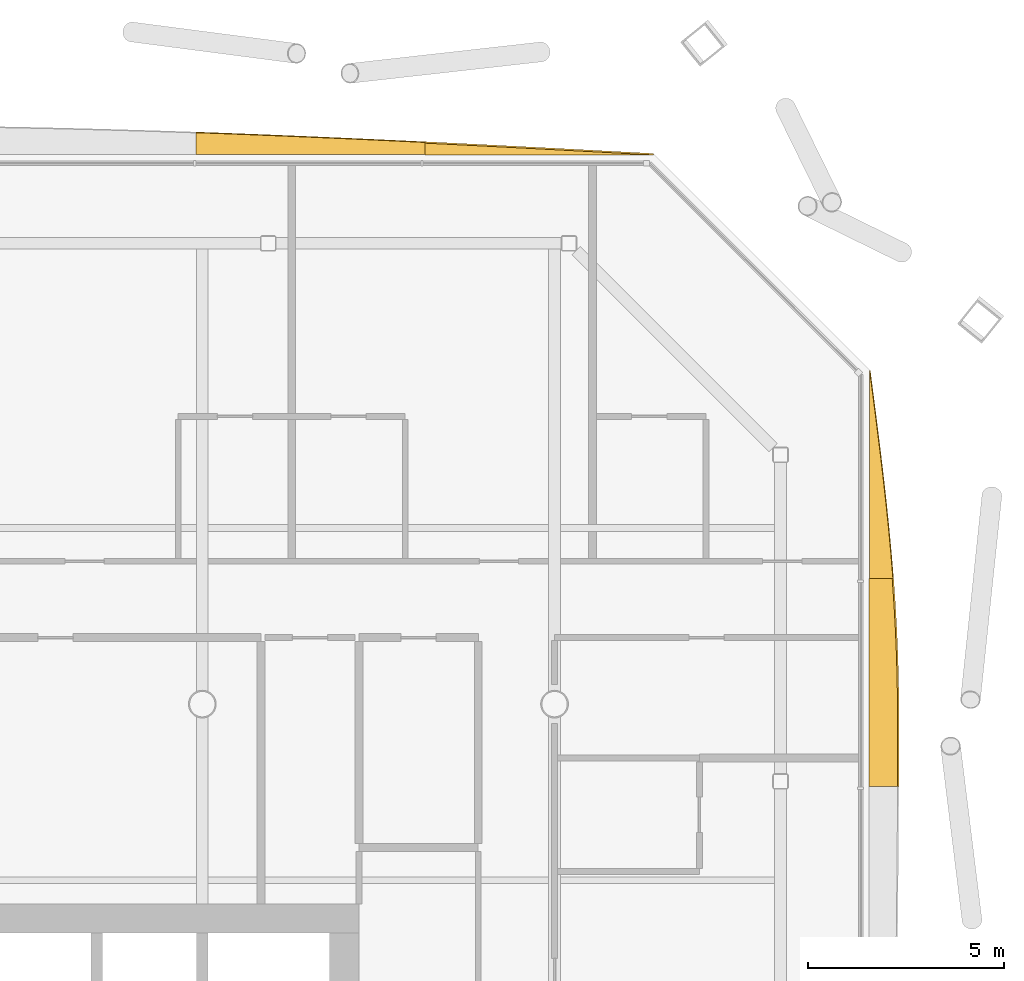
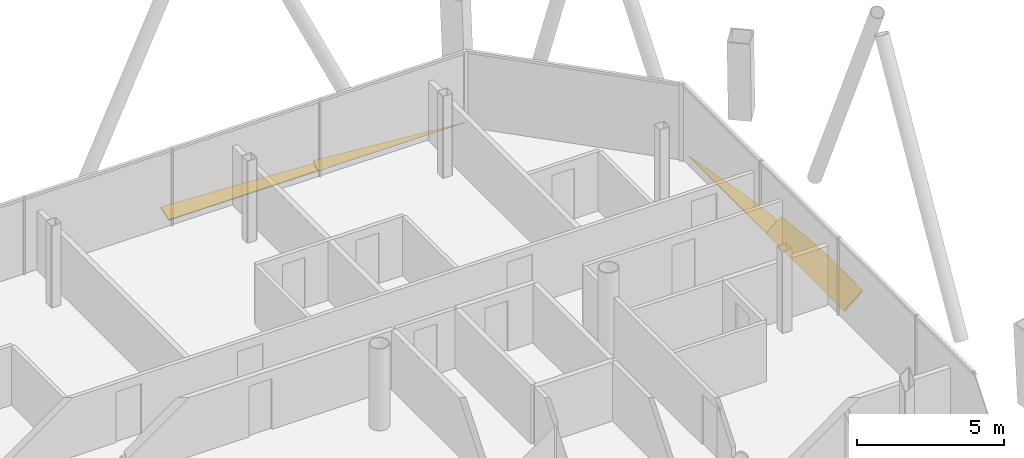
# One storey, part 23 of 23: 4 shading devices.
"""IFC4 building model written with IfcOpenShell, lengths in metres."""

import ifcopenshell
import ifcopenshell.guid

model = None  # the IFC model being written
_history = None  # IfcOwnerHistory: only IFC2X3 demands one
_inside = {}  # id of a spatial element -> (the spatial element, [elements in it])
_under = {}  # id of a project, library or spatial element -> (it, [spatial elements below it])
_declared = {}  # id of a project -> (the project, [libraries it declares])
_typed = {}  # id of a type object -> (the type object, [elements of that type])
_made_of = {}  # id of a material, layer set ... -> (it, [elements and type objects made of it])


def new_model(schema):
    """Start an empty IFC model of exactly this schema.

    Asked for "IFC4X3", IfcOpenShell would pick the latest addendum, in which some entities
    have other attributes; the version numbers below select the first issue.
    IFC2X3 requires an IfcOwnerHistory on every rooted entity: one is made here for all.
    """
    global model, _history
    if schema == "IFC4X3":
        model = ifcopenshell.file(schema_version=(4, 3, 0, 0))
    else:
        model = ifcopenshell.file(schema=schema)
    _inside.clear()
    _under.clear()
    _declared.clear()
    _typed.clear()
    _made_of.clear()
    _history = None
    if model.schema == "IFC2X3":
        org = make("IfcOrganization", Name="unknown")
        user = make(
            "IfcPersonAndOrganization",
            ThePerson=make("IfcPerson", FamilyName="unknown"),
            TheOrganization=org,
        )
        app = make(
            "IfcApplication",
            ApplicationDeveloper=org,
            Version="unknown",
            ApplicationFullName="unknown",
            ApplicationIdentifier="unknown",
        )
        _history = make(
            "IfcOwnerHistory",
            OwningUser=user,
            OwningApplication=app,
            ChangeAction="ADDED",
            CreationDate=0,
        )
    return model


def make(cls, **values):
    """One entity of the class cls with the attributes given. An attribute that is None is left unset."""
    return model.create_entity(
        cls, **{name: value for name, value in values.items() if value is not None}
    )


def rooted(cls, **values):
    """An entity with a GlobalId (a new one), such as an element, a storey or a relation."""
    return make(cls, GlobalId=ifcopenshell.guid.new(), OwnerHistory=_history, **values)


def si_unit(unit_type, name, prefix=None):
    """IfcSIUnit, for example si_unit("LENGTHUNIT", "METRE", prefix="MILLI")."""
    return make("IfcSIUnit", UnitType=unit_type, Prefix=prefix, Name=name)


def assignment(units):
    """IfcUnitAssignment: the units of a project."""
    return None if units is None else make("IfcUnitAssignment", Units=units)


def point(xyz):
    """IfcCartesianPoint."""
    return None if xyz is None else make("IfcCartesianPoint", Coordinates=xyz)


def direction(xyz):
    """IfcDirection."""
    return None if xyz is None else make("IfcDirection", DirectionRatios=xyz)


def frame(location, z_axis=None, x_axis=None):
    """IfcAxis2Placement3D, a coordinate frame: its origin and axes. An axis left out is left unset."""
    return make(
        "IfcAxis2Placement3D",
        Location=point(location),
        Axis=direction(z_axis),
        RefDirection=direction(x_axis),
    )


def origin():
    """The frame at (0, 0, 0) with its axes left unset."""
    return frame((0.0, 0.0, 0.0))


def place(relative_to, where):
    """IfcLocalPlacement: puts the frame where relative to a parent placement (None: the world)."""
    return make(
        "IfcLocalPlacement", PlacementRelTo=relative_to, RelativePlacement=where
    )


def context(
    kind, dimensions, precision=None, world=None, true_north=None, identifier=None
):
    """IfcGeometricRepresentationContext, for example the 3D "Model" context."""
    return make(
        "IfcGeometricRepresentationContext",
        ContextIdentifier=identifier,
        ContextType=kind,
        CoordinateSpaceDimension=dimensions,
        Precision=precision,
        WorldCoordinateSystem=world,
        TrueNorth=true_north,
    )


def subcontext(parent, identifier, kind, view, scale=None):
    """IfcGeometricRepresentationSubContext, for example "Body" below "Model"."""
    return make(
        "IfcGeometricRepresentationSubContext",
        ContextIdentifier=identifier,
        ContextType=kind,
        ParentContext=parent,
        TargetScale=scale,
        TargetView=view,
    )


def project(units=None, contexts=None):
    """IfcProject with its units and contexts."""
    return rooted(
        "IfcProject",
        Name="project",
        RepresentationContexts=contexts,
        UnitsInContext=assignment(units),
    )


def spatial(cls, under=None, at=None, **own):
    """A site, building, storey or space (cls), placed at a placement, below another one or the project."""
    s = rooted(cls, ObjectPlacement=at, **own)
    if under is not None:
        _under.setdefault(under.id(), (under, []))[1].append(s)
    return s


def polyline(points):
    """IfcPolyline through the points."""
    return make("IfcPolyline", Points=[point(p) for p in points])


def outline(outer, holes=None, kind="AREA"):
    """IfcArbitraryClosedProfileDef: a profile drawn as a closed curve; with holes, ...WithVoids."""
    if holes is None:
        return make("IfcArbitraryClosedProfileDef", ProfileType=kind, OuterCurve=outer)
    return make(
        "IfcArbitraryProfileDefWithVoids",
        ProfileType=kind,
        OuterCurve=outer,
        InnerCurves=holes,
    )


def extrude(swept, where, along, depth):
    """IfcExtrudedAreaSolid: the profile swept, set in the frame where, extruded along a direction by depth."""
    return make(
        "IfcExtrudedAreaSolid",
        SweptArea=swept,
        Position=where,
        ExtrudedDirection=direction(along),
        Depth=depth,
    )


def shape(context_of_items, identifier, shape_type, items):
    """IfcShapeRepresentation: the items that make up one representation, for example the "Body"."""
    return make(
        "IfcShapeRepresentation",
        ContextOfItems=context_of_items,
        RepresentationIdentifier=identifier,
        RepresentationType=shape_type,
        Items=items,
    )


def material(Name=None, Category=None):
    """IfcMaterial."""
    return make("IfcMaterial", Name=Name, Category=Category)


def layer(
    of_material, thickness, ventilated=None, Name=None, Category=None, Priority=None
):
    """IfcMaterialLayer: one layer of a wall or slab, of a material (None: an air gap)."""
    return make(
        "IfcMaterialLayer",
        Material=of_material,
        LayerThickness=thickness,
        IsVentilated=ventilated,
        Name=Name,
        Category=Category,
        Priority=Priority,
    )


def layer_set(layers, Name=None):
    """IfcMaterialLayerSet."""
    return make("IfcMaterialLayerSet", MaterialLayers=layers, LayerSetName=Name)


def made_of(thing, what):
    """Note that an element or type object is made of a material, layer set ...; save() writes the relation."""
    if what is not None:
        _made_of.setdefault(what.id(), (what, []))[1].append(thing)
    return thing


def type_object(cls, material=None, **own):
    """A type object (cls), such as IfcWallType, which elements share."""
    return made_of(rooted(cls, **own), material)


def element(
    cls,
    number,
    at=None,
    inside=None,
    cuts=None,
    type_object=None,
    material=None,
    context=None,
    identifier="Body",
    shape_type=None,
    held_by="IfcProductDefinitionShape",
    body=None,
    shapes=None,
    **own,
):
    """One element of the class cls, such as IfcWall. Its Tag is "e" and its number.

    at: its placement. inside: the storey or other place that contains it. cuts: it is an
    opening in that element (IfcRelVoidsElement). A single representation is given by context,
    identifier, shape_type and body (its items); several are given by shapes. held_by: the class
    of the entity that holds the representations. save() writes the other relations.
    """
    e = rooted(cls, Tag="e%d" % number, ObjectPlacement=at, **own)
    if body is not None:
        shapes = [shape(context, identifier, shape_type, body)]
    if shapes is not None:
        e.Representation = make(held_by, Representations=shapes)
    if inside is not None:
        _inside.setdefault(inside.id(), (inside, []))[1].append(e)
    if cuts is not None:
        rooted(
            "IfcRelVoidsElement", RelatingBuildingElement=cuts, RelatedOpeningElement=e
        )
    if type_object is not None:
        _typed.setdefault(type_object.id(), (type_object, []))[1].append(e)
    return made_of(e, material)


def aggregate(whole, parts):
    """IfcRelAggregates: a whole, such as a stair, and the parts it consists of."""
    return rooted("IfcRelAggregates", RelatingObject=whole, RelatedObjects=parts)


def save(model, path):
    """Write the relations noted so far, then the file.

    IfcRelAggregates (storeys below a building ...), IfcRelContainedInSpatialStructure (elements
    in a storey), IfcRelDefinesByType, IfcRelAssociatesMaterial and IfcRelDeclares: one each for
    every whole, place, type object, material and project.
    """
    for whole, parts in _under.values():
        aggregate(whole, parts)
    for where, things in _inside.values():
        rooted(
            "IfcRelContainedInSpatialStructure",
            RelatedElements=things,
            RelatingStructure=where,
        )
    for kind, things in _typed.values():
        rooted("IfcRelDefinesByType", RelatedObjects=things, RelatingType=kind)
    for what, things in _made_of.values():
        rooted("IfcRelAssociatesMaterial", RelatedObjects=things, RelatingMaterial=what)
    for by, libraries in _declared.values():
        rooted("IfcRelDeclares", RelatingContext=by, RelatedDefinitions=libraries)
    model.write(path)


model = new_model("IFC4")

# Units and contexts
model_context = context("Model", 3, precision=1e-05, world=origin(), true_north=direction((0.0, 1.0)))
body_context = subcontext(model_context, "Body", "Model", "MODEL_VIEW")
ifc_project = project(units=[si_unit("LENGTHUNIT", "METRE"), si_unit("AREAUNIT", "SQUARE_METRE"), si_unit("VOLUMEUNIT", "CUBIC_METRE"), si_unit("PLANEANGLEUNIT", "RADIAN"), si_unit("MASSUNIT", "GRAM", prefix="KILO")], contexts=[model_context])

# Site, building, storey
site_placement = place(None, origin())
site = spatial("IfcSite", under=ifc_project, at=site_placement, CompositionType="ELEMENT")
building_placement = place(site_placement, origin())
building = spatial("IfcBuilding", under=site, at=building_placement, Name="Tskaro Facet Tower", CompositionType="ELEMENT")
storey_placement = place(building_placement, frame((0.0, 0.0, 131.699951171875)))
storey = spatial("IfcBuildingStorey", under=building, at=storey_placement, Name="L31", CompositionType="ELEMENT", Elevation=131.699951171875)

# Shading devices
ifc_material = material(Name="Bronze anodised aluminium 6063-T6", Category="aluminium")
ifc_layer = layer(ifc_material, 0.06005859375, Name="Bronze anodised aluminium 6063-T6")
ifc_layer_set = layer_set([ifc_layer], Name="Bronze anodised aluminium 6063-T6")
shading_device_type = type_object("IfcShadingDeviceType", Name="Bronze sun blade (FN1)", PredefinedType="USERDEFINED", material=ifc_layer_set)
shading_device_1_placement = place(storey_placement, frame((26.031494140625, 6.896240234375, 0.0458984375), z_axis=(-0.642910084565, -3.3157e-07, 0.765941657807), x_axis=(-2.13169e-07, 1.0, 2.53963e-07)))
element("IfcShadingDevice", 1, at=shading_device_1_placement, inside=storey, type_object=shading_device_type, Name="Fin blade east 6", ObjectType="FIN", PredefinedType="USERDEFINED", context=body_context, shape_type="SweptSolid", body=[
    extrude(outline(polyline([(0.0, 0.0), (5.314941406249708, 0.0), (5.314941406257697, -0.7761660521512896), (4.650634765592969, -0.8363083291744473), (3.986083984368764, -0.8848228855247969), (3.3217773437432, -0.920520886897729), (2.657470703153281, -0.9435592937631079), (1.9931640624650417, -0.9532802272362895), (1.8496093749750087, -0.9536241851812046), (1.3288574218921214, -0.9530932297612389), (0.6643066406543637, -0.9515304005065278), (1.7687112753052207e-12, -0.9485917394721564), (0.0, 0.0)])), origin(), (0.0, 0.0, -1.0), 0.06005859375),
])
shading_device_2_placement = place(storey_placement, frame((26.049560546875, 12.211181640625, 0.056396484375), z_axis=(-0.342244468226, -3.9459567e-05, 0.939610942046), x_axis=(-1.3504819e-05, 0.999999999221, 3.7076641e-05)))
element("IfcShadingDevice", 2, at=shading_device_2_placement, inside=storey, type_object=shading_device_type, Name="Fin blade east 7", ObjectType="FIN", PredefinedType="USERDEFINED", context=body_context, shape_type="SweptSolid", body=[
    extrude(outline(polyline([(0.0, 0.0), (5.314697261487356, 9.00344737733343e-21), (4.650390621911989, -0.0919853052193826), (3.986083986473007, -0.182969465849019), (3.3217773387452025, -0.27124187555818846), (2.6574707042658634, -0.35573910411119947), (1.9929199193908214, -0.43520933958298413), (1.3286132818550713, -0.5085055959594105), (0.6643066370663593, -0.574459617093851), (-8.381164720180936e-09, -0.6326126085806529), (0.0, 0.0)])), origin(), (0.0, 0.0, -1.0), 0.06005859375),
])
shading_device_3_placement = place(storey_placement, frame((20.52587890625, 23.031494140625, 0.0458984375), z_axis=(-2.3135036e-05, -0.643424398196, 0.765509662428), x_axis=(-0.999999999732, 1.4885646e-05, -1.7710093e-05)))
element("IfcShadingDevice", 3, at=shading_device_3_placement, inside=storey, type_object=shading_device_type, Name="Fin blade north 1", ObjectType="FIN", PredefinedType="USERDEFINED", context=body_context, shape_type="SweptSolid", body=[
    extrude(outline(polyline([(0.0, 0.0), (5.841796873436648, 0.0), (5.8417968765512995, -0.39439780336464975), (5.111572264967291, -0.34760309599005446), (4.381347655451968, -0.29977645448874923), (3.651123047315769, -0.2512618569029707), (2.920898436924504, -0.20187241122524024), (2.1906738279123634, -0.15179500946303648), (1.460449215266032, -0.101530715693354), (0.730224607633016, -0.050765357846677), (0.0, 0.0)])), origin(), (0.0, 0.0, -1.0), 0.06005859375),
])
shading_device_4_placement = place(storey_placement, frame((14.68408203125, 23.049560546875, 0.056396484375), z_axis=(-1.7988259e-05, -0.342155607878, 0.939643304491), x_axis=(-0.999999999838, 6.154784e-06, -1.6902547e-05)))
element("IfcShadingDevice", 4, at=shading_device_4_placement, inside=storey, type_object=shading_device_type, Name="Fin blade north 2", ObjectType="FIN", PredefinedType="USERDEFINED", context=body_context, shape_type="SweptSolid", body=[
    extrude(outline(polyline([(0.0, 0.0), (5.842041014679824, 0.0), (5.842041016300676, -0.5853476474280366), (5.111816405696821, -0.5573140669566481), (4.381591798456966, -0.5276534536113203), (3.651367186327911, -0.4965328755599892), (2.9211425775628554, -0.4637852646347187), (2.1909179669138674, -0.43003649921078996), (1.4606933611315112, -0.3948901060165944), (0.7302246072110303, -0.3585966873040361), (-2.3391912003496923e-09, -0.3214479851125241), (0.0, 0.0)])), origin(), (0.0, 0.0, -1.0), 0.06005859375),
])

save(model, "model.ifc")
